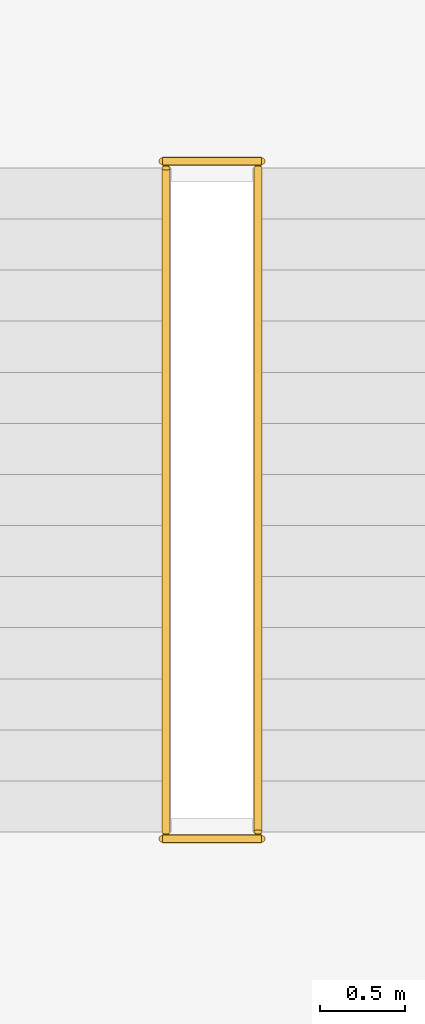
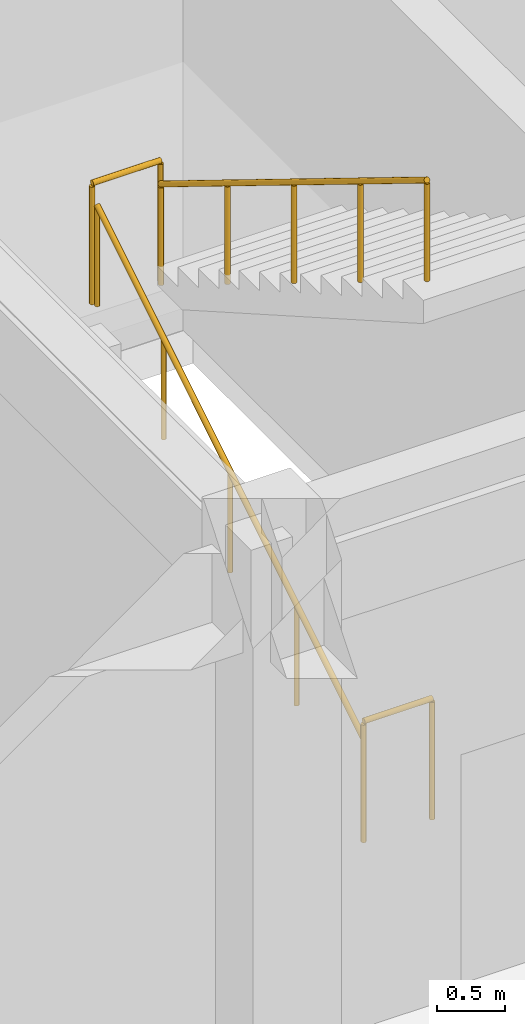
# One storey, part 161 of 167: 4 railings.
"""IFC4 building model written with IfcOpenShell, lengths in metres."""

from ifc_helpers import new_model, si_unit, direction, frame, origin, origin_2d, place, context, subcontext, project, spatial, circle, hollow_circle, extrude, material, material_profile, profile_set, type_object, element, save


model = new_model("IFC4")

# Units and contexts
model_context = context("Model", 3, precision=1e-05, world=origin(), true_north=direction((0.0, 1.0)))
body_context = subcontext(model_context, "Body", "Model", "MODEL_VIEW")
ifc_project = project(units=[si_unit("LENGTHUNIT", "METRE"), si_unit("AREAUNIT", "SQUARE_METRE"), si_unit("VOLUMEUNIT", "CUBIC_METRE"), si_unit("PLANEANGLEUNIT", "RADIAN"), si_unit("MASSUNIT", "GRAM", prefix="KILO")], contexts=[model_context])

# Site, building, storey
site_placement = place(None, origin())
site = spatial("IfcSite", under=ifc_project, at=site_placement, CompositionType="ELEMENT")
building_placement = place(site_placement, origin())
building = spatial("IfcBuilding", under=site, at=building_placement, Name="Zizhar Promenade General Hospital", CompositionType="ELEMENT")
storey_placement = place(building_placement, frame((0.0, 0.0, 9.60009765625)))
storey = spatial("IfcBuildingStorey", under=building, at=storey_placement, Name="L02", CompositionType="ELEMENT", Elevation=9.60009765625)

# Railings
ifc_material_1 = material(Name="Anodised aluminium 6063-T6", Category="aluminium")
ifc_material_profile_1 = material_profile(ifc_material_1, hollow_circle(Radius=0.06982421875, WallThickness=0.00634765625, at=origin_2d()))
ifc_profile_set_1 = profile_set([ifc_material_profile_1], Name="Anodised aluminium 6063-T6")
railing_type_1 = type_object("IfcRailingType", Name="RL-HANDRAIL-920", PredefinedType="HANDRAIL", material=ifc_profile_set_1)
railing_1_placement = place(storey_placement, frame((48.699951171875, 10.35009765625, 0.0)))
element("IfcRailing", 1, at=railing_1_placement, inside=storey, type_object=railing_type_1, Name="Stair ST-02 Flight 1 Handrail (L02)", PredefinedType="HANDRAIL", context=body_context, shape_type="SweptSolid", body=[
    extrude(circle(Radius=0.02392578125, at=origin_2d()), frame((0.0, 0.0, 0.89599609375), z_axis=(0.0, 0.851661977835, 0.524091476281), x_axis=(-1.0, 0.0, 0.0)), (0.0, 0.0, 1.0), 4.5791015625),
    extrude(circle(Radius=0.02099609375, at=origin_2d()), origin(), (0.0, 0.0, 1.0), 0.871826171875),
    extrude(circle(Radius=0.02099609375, at=origin_2d()), frame((0.0, 0.97509765625, 0.60009765625)), (0.0, 0.0, 1.0), 0.871826171875),
    extrude(circle(Radius=0.02099609375, at=origin_2d()), frame((0.0, 1.949951171875, 1.199951171875)), (0.0, 0.0, 1.0), 0.871826171875),
    extrude(circle(Radius=0.02099609375, at=origin_2d()), frame((0.0, 2.9248046875, 1.7998046875)), (0.0, 0.0, 1.0), 0.871826171875),
    extrude(circle(Radius=0.02099609375, at=origin_2d()), frame((0.0, 3.89990234375, 2.39990234375)), (0.0, 0.0, 1.0), 0.871826171875),
])
railing_2_placement = place(storey_placement, frame((49.239990234375, 14.25, 2.39990234375)))
element("IfcRailing", 2, at=railing_2_placement, inside=storey, type_object=railing_type_1, Name="Stair ST-02 Flight 2 Handrail (L02)", PredefinedType="HANDRAIL", context=body_context, shape_type="SweptSolid", body=[
    extrude(circle(Radius=0.02392578125, at=origin_2d()), frame((0.0, 0.0, 0.89599609375), z_axis=(0.0, -0.851661977835, 0.524091476281), x_axis=(1.0, 0.0, 0.0)), (0.0, 0.0, 1.0), 4.5791015625),
    extrude(circle(Radius=0.02099609375, at=origin_2d()), origin(), (0.0, 0.0, 1.0), 0.871826171875),
    extrude(circle(Radius=0.02099609375, at=origin_2d()), frame((0.0, -0.97509765625, 0.60009765625)), (0.0, 0.0, 1.0), 0.871826171875),
    extrude(circle(Radius=0.02099609375, at=origin_2d()), frame((0.0, -1.949951171875, 1.199951171875)), (0.0, 0.0, 1.0), 0.871826171875),
    extrude(circle(Radius=0.02099609375, at=origin_2d()), frame((0.0, -2.9248046875, 1.7998046875)), (0.0, 0.0, 1.0), 0.871826171875),
    extrude(circle(Radius=0.02099609375, at=origin_2d()), frame((0.0, -3.89990234375, 2.39990234375)), (0.0, 0.0, 1.0), 0.871826171875),
])
ifc_material_2 = material(Name="Steel S355", Category="steel")
ifc_material_profile_2 = material_profile(ifc_material_2, hollow_circle(Radius=0.06982421875, WallThickness=0.00634765625, at=origin_2d()))
ifc_profile_set_2 = profile_set([ifc_material_profile_2], Name="Steel S355")
railing_type_2 = type_object("IfcRailingType", Name="RL-STAIR-GUARD-1100", PredefinedType="GUARDRAIL", material=ifc_profile_set_2)
for number, where, name in (
    (3, (48.679931640625, 14.2900390625, 2.39990234375), "Stair ST-02 Half-Landing Guard (L02)"),
    (4, (48.679931640625, 10.31005859375, 0.0), "Stair ST-02 Landing Well Guard (L02)"),
):
    element("IfcRailing", number, at=place(storey_placement, frame(where)), inside=storey, type_object=railing_type_2, Name=name, PredefinedType="GUARDRAIL", context=body_context, shape_type="SweptSolid", body=[
        extrude(circle(Radius=0.02392578125, at=origin_2d()), frame((0.0, 0.0, 1.076171875), z_axis=(1.0, 0.0, 0.0), x_axis=(0.0, 1.0, 0.0)), (0.0, 0.0, 1.0), 0.580078125),
        extrude(circle(Radius=0.02099609375, at=origin_2d()), origin(), (0.0, 0.0, 1.0), 1.052001953125),
        extrude(circle(Radius=0.02099609375, at=origin_2d()), frame((0.580078125, 0.0, 0.0)), (0.0, 0.0, 1.0), 1.052001953125),
    ])

save(model, "model.ifc")
